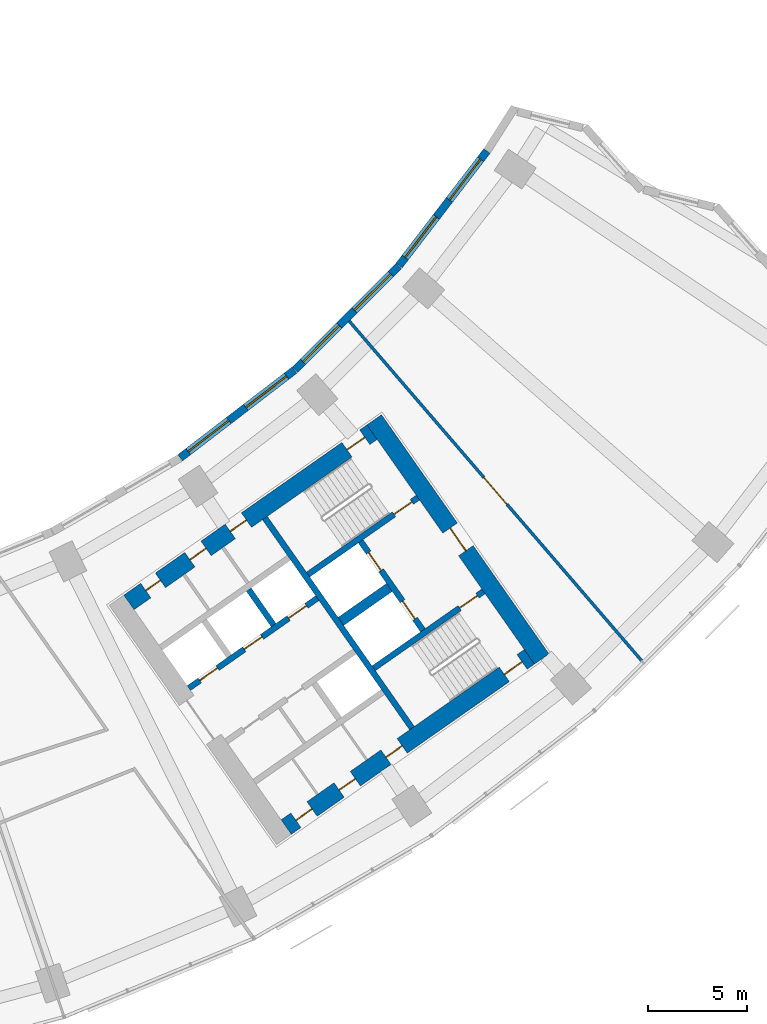
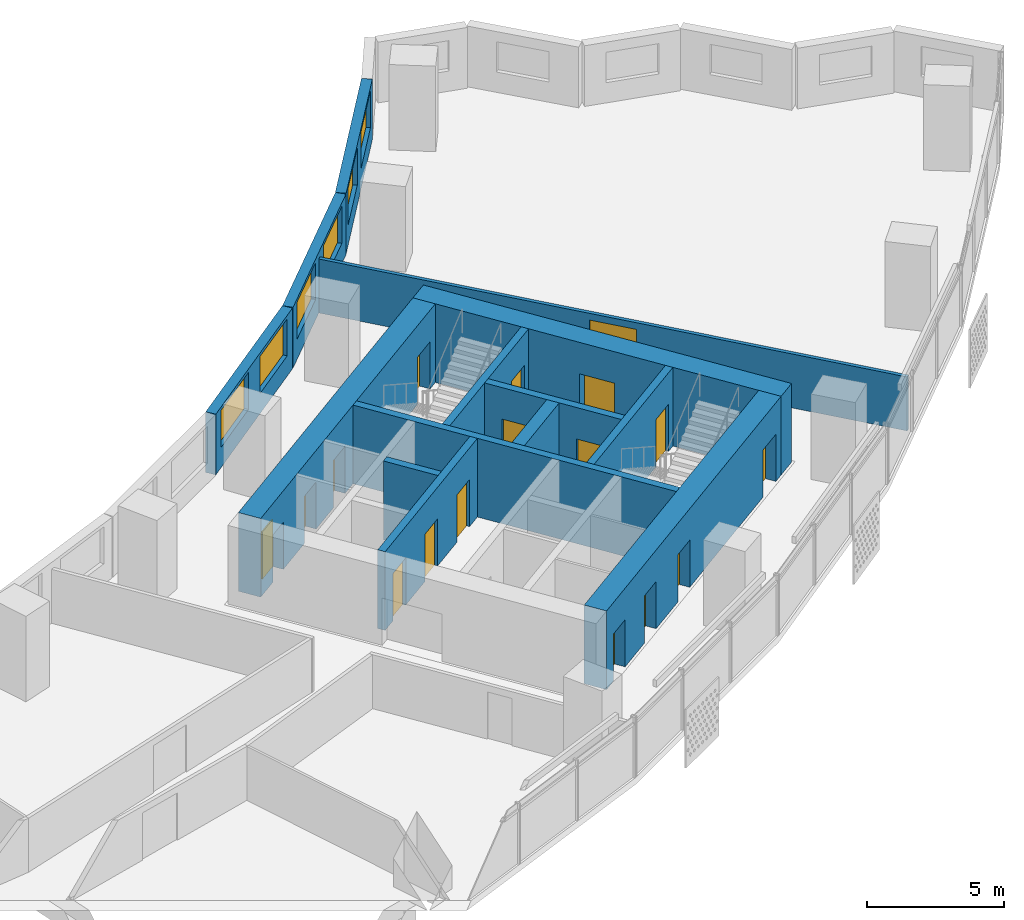
# One storey, part 7 of 31: 17 doors, 14 walls, 6 windows, 23 openings.
"""IFC4 building model written with IfcOpenShell, lengths in metres."""

from ifc_helpers import new_model, si_unit, direction, frame, frame_2d, origin, place, context, subcontext, project, spatial, rectangle, extrude, material, layer, layer_set, type_object, element, fill, save


model = new_model("IFC4")

# Units and contexts
model_context = context("Model", 3, precision=1e-05, world=origin(), true_north=direction((0.0, 1.0)))
body_context = subcontext(model_context, "Body", "Model", "MODEL_VIEW")
ifc_project = project(units=[si_unit("LENGTHUNIT", "METRE"), si_unit("AREAUNIT", "SQUARE_METRE"), si_unit("VOLUMEUNIT", "CUBIC_METRE"), si_unit("PLANEANGLEUNIT", "RADIAN"), si_unit("MASSUNIT", "GRAM", prefix="KILO")], contexts=[model_context])

# Site, building, storey
site_placement = place(None, origin())
site = spatial("IfcSite", under=ifc_project, at=site_placement, CompositionType="ELEMENT")
building_placement = place(site_placement, origin())
building = spatial("IfcBuilding", under=site, at=building_placement, Name="Qamariyya Broadcast Tower", CompositionType="ELEMENT")
storey_placement = place(building_placement, frame((0.0, 0.0, 82.300048828125)))
storey = spatial("IfcBuildingStorey", under=building, at=storey_placement, Name="L17", CompositionType="ELEMENT", Elevation=82.300048828125)

# Wall, opening, door
ifc_material_1 = material(Name="Concrete C70/85", Category="concrete")
ifc_layer_1 = layer(ifc_material_1, 0.89990234375)
ifc_layer_set_1 = layer_set([ifc_layer_1], Name="Core wall 900 mm Concrete C70/85")
wall_type_1 = type_object("IfcWallType", Name="Core wall 900 mm Concrete C70/85", PredefinedType="SHEAR", material=ifc_layer_set_1)
wall_1_placement = place(storey_placement, frame((49.778564453125, -57.191162109375, 0.0), z_axis=(0.0, 0.0, 1.0), x_axis=(-0.573577477574, 0.819151315216, 0.0)))
wall_1 = element("IfcWall", 1, at=wall_1_placement, inside=storey, type_object=wall_type_1, Name="k-E-L17-WH", PredefinedType="SHEAR", context=body_context, shape_type="SweptSolid", body=[
    extrude(rectangle(XDim=14.800048828125, YDim=0.89990234375, at=frame_2d((7.39990234375, 0.0))), origin(), (0.0, 0.0, 1.0), 3.5),
])
opening_1_placement = place(wall_1_placement, frame((6.699951171875, 0.0, 0.0)))
opening_1 = element("IfcOpeningElement", 2, at=opening_1_placement, cuts=wall_1, Name="Opening KD2-E1", PredefinedType="OPENING", context=body_context, shape_type="SweptSolid", body=[
    extrude(rectangle(XDim=1.39990234375, YDim=2.10009765625, at=frame_2d((0.699951171875, 1.050048828125))), frame((0.0, 0.4599609375, 0.0), z_axis=(0.0, -1.0, 0.0), x_axis=(1.0, 0.0, 0.0)), (0.0, 0.0, 1.0), 0.919921875),
])
ifc_material_2 = material(Name="Steel fire-resisting door leaf", Category="steel")
door_type_1 = type_object("IfcDoorType", Name="Fire-fighting lobby door KD2", OperationType="DOUBLE_DOOR_SINGLE_SWING", PredefinedType="DOOR", material=ifc_material_2)
door_1_placement = place(opening_1_placement, origin())
door_1 = element("IfcDoor", 3, at=door_1_placement, inside=storey, type_object=door_type_1, Name="k-E-L17-WH-D15", OperationType="DOUBLE_DOOR_SINGLE_SWING", OverallHeight=2.10009765625, OverallWidth=1.39990234375, PredefinedType="DOOR", context=body_context, shape_type="SweptSolid", body=[
    extrude(rectangle(XDim=1.39990234375, YDim=2.10009765625, at=frame_2d((0.699951171875, 1.050048828125))), frame((0.0, 0.02490234375, 0.0), z_axis=(0.0, -1.0, 0.0), x_axis=(1.0, 0.0, 0.0)), (0.0, 0.0, 1.0), 0.050048828125),
])
fill(opening_1, door_1)

# Wall, openings, doors
wall_2_placement = place(storey_placement, frame((28.8544921875, -54.32421875, 0.0), z_axis=(0.0, 0.0, 1.0), x_axis=(0.819145767589, 0.573585400304, 0.0)))
wall_2 = element("IfcWall", 4, at=wall_2_placement, inside=storey, type_object=wall_type_1, Name="k-E-L17-WI", PredefinedType="SHEAR", context=body_context, shape_type="SweptSolid", body=[
    extrude(rectangle(XDim=15.04541015625, YDim=0.89990234375, at=frame_2d((7.522705078125, 0.0))), origin(), (0.0, 0.0, 1.0), 3.5),
])
opening_2_placement = place(wall_2_placement, frame((1.050048828125, 0.0, 0.0)))
opening_2 = element("IfcOpeningElement", 5, at=opening_2_placement, cuts=wall_2, Name="Opening KD5-E1", PredefinedType="OPENING", context=body_context, shape_type="SweptSolid", body=[
    extrude(rectangle(XDim=0.89990234375, YDim=2.10009765625, at=frame_2d((0.449951171875, 1.050048828125))), frame((0.0, 0.4599609375, 0.0), z_axis=(0.0, -1.0, 0.0), x_axis=(1.0, 0.0, 0.0)), (0.0, 0.0, 1.0), 0.919921875),
])
opening_3_placement = place(wall_2_placement, frame((3.77490234375, 0.0, 0.0)))
opening_3 = element("IfcOpeningElement", 6, at=opening_3_placement, cuts=wall_2, Name="Opening KD7-E1", PredefinedType="OPENING", context=body_context, shape_type="SweptSolid", body=[
    extrude(rectangle(XDim=1.0, YDim=2.10009765625, at=frame_2d((0.5, 1.050048828125))), frame((0.0, 0.4599609375, 0.0), z_axis=(0.0, -1.0, 0.0), x_axis=(1.0, 0.0, 0.0)), (0.0, 0.0, 1.0), 0.919921875),
])
opening_4_placement = place(wall_2_placement, frame((6.27490234375, 0.0, 0.0)))
opening_4 = element("IfcOpeningElement", 7, at=opening_4_placement, cuts=wall_2, Name="Opening KD6-E3", PredefinedType="OPENING", context=body_context, shape_type="SweptSolid", body=[
    extrude(rectangle(XDim=1.0, YDim=2.10009765625, at=frame_2d((0.5, 1.050048828125))), frame((0.0, 0.4599609375, 0.0), z_axis=(0.0, -1.0, 0.0), x_axis=(1.0, 0.0, 0.0)), (0.0, 0.0, 1.0), 0.919921875),
])
opening_5_placement = place(wall_2_placement, frame((13.495361328125, 0.0, 0.0)))
opening_5 = element("IfcOpeningElement", 8, at=opening_5_placement, cuts=wall_2, Name="Opening KD1-E1", PredefinedType="OPENING", context=body_context, shape_type="SweptSolid", body=[
    extrude(rectangle(XDim=1.10009765625, YDim=2.10009765625, at=frame_2d((0.550048828125, 1.050048828125))), frame((0.0, 0.4599609375, 0.0), z_axis=(0.0, -1.0, 0.0), x_axis=(1.0, 0.0, 0.0)), (0.0, 0.0, 1.0), 0.919921875),
])
door_type_2 = type_object("IfcDoorType", Name="Accessible toilet door KD7", OperationType="SINGLE_SWING_LEFT", PredefinedType="DOOR", material=ifc_material_2)
door_2_placement = place(opening_3_placement, origin())
door_2 = element("IfcDoor", 9, at=door_2_placement, inside=storey, type_object=door_type_2, Name="k-E-L17-WI-D8", OperationType="SINGLE_SWING_RIGHT", OverallHeight=2.10009765625, OverallWidth=1.0, PredefinedType="DOOR", context=body_context, shape_type="SweptSolid", body=[
    extrude(rectangle(XDim=1.0, YDim=2.10009765625, at=frame_2d((0.5, 1.050048828125))), frame((0.0, 0.02490234375, 0.0), z_axis=(0.0, -1.0, 0.0), x_axis=(1.0, 0.0, 0.0)), (0.0, 0.0, 1.0), 0.050048828125),
])
fill(opening_3, door_2)
door_type_3 = type_object("IfcDoorType", Name="Core room door KD6", OperationType="SINGLE_SWING_LEFT", PredefinedType="DOOR", material=ifc_material_2)
door_3_placement = place(opening_4_placement, origin())
door_3 = element("IfcDoor", 10, at=door_3_placement, inside=storey, type_object=door_type_3, Name="k-E-L17-WI-D9", OperationType="SINGLE_SWING_LEFT", OverallHeight=2.10009765625, OverallWidth=1.0, PredefinedType="DOOR", context=body_context, shape_type="SweptSolid", body=[
    extrude(rectangle(XDim=1.0, YDim=2.10009765625, at=frame_2d((0.5, 1.050048828125))), frame((0.0, 0.02490234375, 0.0), z_axis=(0.0, -1.0, 0.0), x_axis=(1.0, 0.0, 0.0)), (0.0, 0.0, 1.0), 0.050048828125),
])
fill(opening_4, door_3)
door_type_4 = type_object("IfcDoorType", Name="Stair door KD1", OperationType="SINGLE_SWING_LEFT", PredefinedType="DOOR", material=ifc_material_2)
door_4_placement = place(opening_5_placement, origin())
door_4 = element("IfcDoor", 11, at=door_4_placement, inside=storey, type_object=door_type_4, Name="k-E-L17-WI-D16", OperationType="SINGLE_SWING_RIGHT", OverallHeight=2.10009765625, OverallWidth=1.10009765625, PredefinedType="DOOR", context=body_context, shape_type="SweptSolid", body=[
    extrude(rectangle(XDim=1.10009765625, YDim=2.10009765625, at=frame_2d((0.550048828125, 1.050048828125))), frame((0.0, 0.02490234375, 0.0), z_axis=(0.0, -1.0, 0.0), x_axis=(1.0, 0.0, 0.0)), (0.0, 0.0, 1.0), 0.050048828125),
])
fill(opening_5, door_4)
door_type_5 = type_object("IfcDoorType", Name="Toilet door KD5", OperationType="SINGLE_SWING_LEFT", PredefinedType="DOOR", material=ifc_material_2)
door_5_placement = place(opening_2_placement, origin())
door_5 = element("IfcDoor", 12, at=door_5_placement, inside=storey, type_object=door_type_5, Name="k-E-L17-WI-D7", OperationType="SINGLE_SWING_LEFT", OverallHeight=2.10009765625, OverallWidth=0.89990234375, PredefinedType="DOOR", context=body_context, shape_type="SweptSolid", body=[
    extrude(rectangle(XDim=0.89990234375, YDim=2.10009765625, at=frame_2d((0.449951171875, 1.050048828125))), frame((0.0, 0.02490234375, 0.0), z_axis=(0.0, -1.0, 0.0), x_axis=(1.0, 0.0, 0.0)), (0.0, 0.0, 1.0), 0.050048828125),
])
fill(opening_2, door_5)

wall_3_placement = place(storey_placement, frame((36.827392578125, -65.710205078125, 0.0), z_axis=(0.0, 0.0, 1.0), x_axis=(0.819153391756, 0.573574511963, 0.0)))
wall_3 = element("IfcWall", 13, at=wall_3_placement, inside=storey, type_object=wall_type_1, Name="k-E-L17-WO", PredefinedType="SHEAR", context=body_context, shape_type="SweptSolid", body=[
    extrude(rectangle(XDim=15.04541015625, YDim=0.89990234375, at=frame_2d((7.522705078125, 0.0))), origin(), (0.0, 0.0, 1.0), 3.5),
])
opening_6_placement = place(wall_3_placement, frame((0.60009765625, 0.0, 0.0)))
opening_6 = element("IfcOpeningElement", 14, at=opening_6_placement, cuts=wall_3, Name="Opening KD4-E1", PredefinedType="OPENING", context=body_context, shape_type="SweptSolid", body=[
    extrude(rectangle(XDim=1.0, YDim=2.10009765625, at=frame_2d((0.5, 1.050048828125))), frame((0.0, 0.4599609375, 0.0), z_axis=(0.0, -1.0, 0.0), x_axis=(1.0, 0.0, 0.0)), (0.0, 0.0, 1.0), 0.919921875),
])
opening_7_placement = place(wall_3_placement, frame((3.27490234375, 0.0, 0.0)))
opening_7 = element("IfcOpeningElement", 15, at=opening_7_placement, cuts=wall_3, Name="Opening KD4-E2", PredefinedType="OPENING", context=body_context, shape_type="SweptSolid", body=[
    extrude(rectangle(XDim=1.0, YDim=2.10009765625, at=frame_2d((0.5, 1.050048828125))), frame((0.0, 0.4599609375, 0.0), z_axis=(0.0, -1.0, 0.0), x_axis=(1.0, 0.0, 0.0)), (0.0, 0.0, 1.0), 0.919921875),
])
opening_8_placement = place(wall_3_placement, frame((6.175048828125, 0.0, 0.0)))
opening_8 = element("IfcOpeningElement", 16, at=opening_8_placement, cuts=wall_3, Name="Opening KD4-E3", PredefinedType="OPENING", context=body_context, shape_type="SweptSolid", body=[
    extrude(rectangle(XDim=1.0, YDim=2.10009765625, at=frame_2d((0.5, 1.050048828125))), frame((0.0, 0.4599609375, 0.0), z_axis=(0.0, -1.0, 0.0), x_axis=(1.0, 0.0, 0.0)), (0.0, 0.0, 1.0), 0.919921875),
])
opening_9_placement = place(wall_3_placement, frame((13.495361328125, 0.0, 0.0)))
opening_9 = element("IfcOpeningElement", 17, at=opening_9_placement, cuts=wall_3, Name="Opening KD1-E3", PredefinedType="OPENING", context=body_context, shape_type="SweptSolid", body=[
    extrude(rectangle(XDim=1.10009765625, YDim=2.10009765625, at=frame_2d((0.550048828125, 1.050048828125))), frame((0.0, 0.4599609375, 0.0), z_axis=(0.0, -1.0, 0.0), x_axis=(1.0, 0.0, 0.0)), (0.0, 0.0, 1.0), 0.919921875),
])
door_type_6 = type_object("IfcDoorType", Name="Riser and plant door KD4", OperationType="SINGLE_SWING_LEFT", PredefinedType="DOOR", material=ifc_material_2)
door_6_placement = place(opening_6_placement, origin())
door_6 = element("IfcDoor", 18, at=door_6_placement, inside=storey, type_object=door_type_6, Name="k-E-L17-WO-D10", OperationType="SINGLE_SWING_RIGHT", OverallHeight=2.10009765625, OverallWidth=1.0, PredefinedType="DOOR", context=body_context, shape_type="SweptSolid", body=[
    extrude(rectangle(XDim=1.0, YDim=2.10009765625, at=frame_2d((0.5, 1.050048828125))), frame((0.0, 0.02490234375, 0.0), z_axis=(0.0, -1.0, 0.0), x_axis=(1.0, 0.0, 0.0)), (0.0, 0.0, 1.0), 0.050048828125),
])
fill(opening_6, door_6)
door_7_placement = place(opening_7_placement, origin())
door_7 = element("IfcDoor", 19, at=door_7_placement, inside=storey, type_object=door_type_6, Name="k-E-L17-WO-D11", OperationType="SINGLE_SWING_LEFT", OverallHeight=2.10009765625, OverallWidth=1.0, PredefinedType="DOOR", context=body_context, shape_type="SweptSolid", body=[
    extrude(rectangle(XDim=1.0, YDim=2.10009765625, at=frame_2d((0.5, 1.050048828125))), frame((0.0, 0.02490234375, 0.0), z_axis=(0.0, -1.0, 0.0), x_axis=(1.0, 0.0, 0.0)), (0.0, 0.0, 1.0), 0.050048828125),
])
fill(opening_7, door_7)
door_8_placement = place(opening_8_placement, origin())
door_8 = element("IfcDoor", 20, at=door_8_placement, inside=storey, type_object=door_type_6, Name="k-E-L17-WO-D12", OperationType="SINGLE_SWING_RIGHT", OverallHeight=2.10009765625, OverallWidth=1.0, PredefinedType="DOOR", context=body_context, shape_type="SweptSolid", body=[
    extrude(rectangle(XDim=1.0, YDim=2.10009765625, at=frame_2d((0.5, 1.050048828125))), frame((0.0, 0.02490234375, 0.0), z_axis=(0.0, -1.0, 0.0), x_axis=(1.0, 0.0, 0.0)), (0.0, 0.0, 1.0), 0.050048828125),
])
fill(opening_8, door_8)
door_9_placement = place(opening_9_placement, origin())
door_9 = element("IfcDoor", 21, at=door_9_placement, inside=storey, type_object=door_type_4, Name="k-E-L17-WO-D18", OperationType="SINGLE_SWING_LEFT", OverallHeight=2.10009765625, OverallWidth=1.10009765625, PredefinedType="DOOR", context=body_context, shape_type="SweptSolid", body=[
    extrude(rectangle(XDim=1.10009765625, YDim=2.10009765625, at=frame_2d((0.550048828125, 1.050048828125))), frame((0.0, 0.02490234375, 0.0), z_axis=(0.0, -1.0, 0.0), x_axis=(1.0, 0.0, 0.0)), (0.0, 0.0, 1.0), 0.050048828125),
])
fill(opening_9, door_9)

# Wall, opening, door
ifc_material_3 = material(Name="Gypsum board partition")
ifc_layer_2 = layer(ifc_material_3, 0.14990234375)
ifc_layer_set_2 = layer_set([ifc_layer_2], Name="Corridor partition 150 EI 60")
wall_type_2 = type_object("IfcWallType", Name="Corridor partition 150 EI 60", PredefinedType="PARTITIONING", material=ifc_layer_set_2)
wall_4_placement = place(storey_placement, frame((40.021240234375, -40.063232421875, 0.0), z_axis=(0.0, 0.0, 1.0), x_axis=(0.652471531746, -0.757813235739, 0.0)))
wall_4 = element("IfcWall", 22, at=wall_4_placement, inside=storey, type_object=wall_type_2, Name="Partition L17-027", PredefinedType="PARTITIONING", context=body_context, shape_type="SweptSolid", body=[
    extrude(rectangle(XDim=22.71484375, YDim=0.14990234375, at=frame_2d((11.357421875, 0.0))), origin(), (0.0, 0.0, 1.0), 2.39990234375),
])
opening_10_placement = place(wall_4_placement, frame((10.45751953125, 0.0, 0.0)))
opening_10 = element("IfcOpeningElement", 23, at=opening_10_placement, cuts=wall_4, Name="Opening L17-D13", PredefinedType="OPENING", context=body_context, shape_type="SweptSolid", body=[
    extrude(rectangle(XDim=1.800048828125, YDim=2.10009765625, at=frame_2d((0.89990234375, 1.050048828125))), frame((0.0, 0.0849609375, 0.0), z_axis=(0.0, -1.0, 0.0), x_axis=(1.0, 0.0, 0.0)), (0.0, 0.0, 1.0), 0.169921875),
])
ifc_material_4 = material(Name="Timber fire door leaf", Category="wood")
door_type_7 = type_object("IfcDoorType", Name="Double fire door 1800 x 2100 FD60", OperationType="NOTDEFINED", PredefinedType="DOOR", material=ifc_material_4)
door_10_placement = place(opening_10_placement, origin())
door_10 = element("IfcDoor", 24, at=door_10_placement, inside=storey, type_object=door_type_7, Name="Door L17-D13", OperationType="DOUBLE_DOOR_SINGLE_SWING", OverallHeight=2.10009765625, OverallWidth=1.800048828125, PredefinedType="DOOR", context=body_context, shape_type="SweptSolid", body=[
    extrude(rectangle(XDim=1.800048828125, YDim=2.10009765625, at=frame_2d((0.89990234375, 1.050048828125))), frame((0.0, 0.02490234375, 0.0), z_axis=(0.0, -1.0, 0.0), x_axis=(1.0, 0.0, 0.0)), (0.0, 0.0, 1.0), 0.050048828125),
])
fill(opening_10, door_10)

# Walls
ifc_material_5 = material(Name="Concrete C60/75", Category="concrete")
ifc_layer_3 = layer(ifc_material_5, 0.5)
ifc_layer_set_3 = layer_set([ifc_layer_3], Name="Fire-fighting lobby divider wall 500 mm Concrete C60/75")
wall_type_3 = type_object("IfcWallType", Name="Fire-fighting lobby divider wall 500 mm Concrete C60/75", PredefinedType="SOLIDWALL", material=ifc_layer_set_3)
wall_5_placement = place(storey_placement, frame((39.59912109375, -55.28515625, 0.0), z_axis=(0.0, 0.0, 1.0), x_axis=(0.819136323161, 0.573598887793, 0.0)))
element("IfcWall", 25, at=wall_5_placement, inside=storey, type_object=wall_type_3, Name="k-E-L17-FD", PredefinedType="SOLIDWALL", context=body_context, shape_type="SweptSolid", body=[
    extrude(rectangle(XDim=2.999755859375, YDim=0.5, at=frame_2d((1.5, 0.0))), origin(), (0.0, 0.0, 1.0), 3.5),
])
ifc_layer_4 = layer(ifc_material_5, 0.300048828125)
ifc_layer_set_4 = layer_set([ifc_layer_4], Name="Lift shaft wall 300 mm Concrete C60/75")
wall_type_4 = type_object("IfcWallType", Name="Lift shaft wall 300 mm Concrete C60/75", PredefinedType="SOLIDWALL", material=ifc_layer_set_4)
wall_6_placement = place(storey_placement, frame((43.204345703125, -60.69580078125, 0.0), z_axis=(0.0, 0.0, 1.0), x_axis=(-0.573571992966, 0.819155155563, 0.0)))
element("IfcWall", 26, at=wall_6_placement, inside=storey, type_object=wall_type_4, Name="k-E-L17-WL", PredefinedType="SOLIDWALL", context=body_context, shape_type="SweptSolid", body=[
    extrude(rectangle(XDim=13.000244140625, YDim=0.300048828125, at=frame_2d((6.5, 0.0))), origin(), (0.0, 0.0, 1.0), 3.5),
])

# Wall, openings, doors
wall_7_placement = place(storey_placement, frame((31.89453125, -58.66552734375, 0.0), z_axis=(0.0, 0.0, 1.0), x_axis=(0.819166993208, 0.573555086491, 0.0)))
wall_7 = element("IfcWall", 27, at=wall_7_placement, inside=storey, type_object=wall_type_4, Name="k-E-L17-NF0", PredefinedType="SOLIDWALL", context=body_context, shape_type="SweptSolid", body=[
    extrude(rectangle(XDim=7.9501953125, YDim=0.300048828125, at=frame_2d((3.97509765625, 0.0))), origin(), (0.0, 0.0, 1.0), 3.5),
])
opening_11_placement = place(wall_7_placement, frame((0.675048828125, 0.0, 0.0)))
opening_11 = element("IfcOpeningElement", 28, at=opening_11_placement, cuts=wall_7, Name="Opening LD", PredefinedType="OPENING", context=body_context, shape_type="SweptSolid", body=[
    extrude(rectangle(XDim=1.10009765625, YDim=2.10009765625, at=frame_2d((0.550048828125, 1.050048828125))), frame((0.0, 0.159912109375, 0.0), z_axis=(0.0, -1.0, 0.0), x_axis=(1.0, 0.0, 0.0)), (0.0, 0.0, 1.0), 0.320068359375),
])
opening_12_placement = place(wall_7_placement, frame((3.425048828125, 0.0, 0.0)))
opening_12 = element("IfcOpeningElement", 29, at=opening_12_placement, cuts=wall_7, Name="Opening LD", PredefinedType="OPENING", context=body_context, shape_type="SweptSolid", body=[
    extrude(rectangle(XDim=1.10009765625, YDim=2.10009765625, at=frame_2d((0.550048828125, 1.050048828125))), frame((0.0, 0.159912109375, 0.0), z_axis=(0.0, -1.0, 0.0), x_axis=(1.0, 0.0, 0.0)), (0.0, 0.0, 1.0), 0.320068359375),
])
opening_13_placement = place(wall_7_placement, frame((6.175048828125, 0.0, 0.0)))
opening_13 = element("IfcOpeningElement", 30, at=opening_13_placement, cuts=wall_7, Name="Opening LD", PredefinedType="OPENING", context=body_context, shape_type="SweptSolid", body=[
    extrude(rectangle(XDim=1.10009765625, YDim=2.10009765625, at=frame_2d((0.550048828125, 1.050048828125))), frame((0.0, 0.159912109375, 0.0), z_axis=(0.0, -1.0, 0.0), x_axis=(1.0, 0.0, 0.0)), (0.0, 0.0, 1.0), 0.320068359375),
])
door_type_8 = type_object("IfcDoorType", Name="Lift landing door LD", OperationType="DOUBLE_DOOR_SLIDING", PredefinedType="DOOR", material=ifc_material_2)
door_11_placement = place(opening_11_placement, origin())
door_11 = element("IfcDoor", 31, at=door_11_placement, inside=storey, type_object=door_type_8, Name="k-E-L17-NF0-D2", OperationType="DOUBLE_DOOR_SLIDING", OverallHeight=2.10009765625, OverallWidth=1.10009765625, PredefinedType="DOOR", context=body_context, shape_type="SweptSolid", body=[
    extrude(rectangle(XDim=1.10009765625, YDim=2.10009765625, at=frame_2d((0.550048828125, 1.050048828125))), frame((0.0, 0.02490234375, 0.0), z_axis=(0.0, -1.0, 0.0), x_axis=(1.0, 0.0, 0.0)), (0.0, 0.0, 1.0), 0.050048828125),
])
fill(opening_11, door_11)
door_12_placement = place(opening_12_placement, origin())
door_12 = element("IfcDoor", 32, at=door_12_placement, inside=storey, type_object=door_type_8, Name="k-E-L17-NF0-D3", OperationType="DOUBLE_DOOR_SLIDING", OverallHeight=2.10009765625, OverallWidth=1.10009765625, PredefinedType="DOOR", context=body_context, shape_type="SweptSolid", body=[
    extrude(rectangle(XDim=1.10009765625, YDim=2.10009765625, at=frame_2d((0.550048828125, 1.050048828125))), frame((0.0, 0.02490234375, 0.0), z_axis=(0.0, -1.0, 0.0), x_axis=(1.0, 0.0, 0.0)), (0.0, 0.0, 1.0), 0.050048828125),
])
fill(opening_12, door_12)
door_13_placement = place(opening_13_placement, origin())
door_13 = element("IfcDoor", 33, at=door_13_placement, inside=storey, type_object=door_type_8, Name="k-E-L17-NF0-D4", OperationType="DOUBLE_DOOR_SLIDING", OverallHeight=2.10009765625, OverallWidth=1.10009765625, PredefinedType="DOOR", context=body_context, shape_type="SweptSolid", body=[
    extrude(rectangle(XDim=1.10009765625, YDim=2.10009765625, at=frame_2d((0.550048828125, 1.050048828125))), frame((0.0, 0.02490234375, 0.0), z_axis=(0.0, -1.0, 0.0), x_axis=(1.0, 0.0, 0.0)), (0.0, 0.0, 1.0), 0.050048828125),
])
fill(opening_13, door_13)

# Wall
wall_8_placement = place(storey_placement, frame((36.19091796875, -55.47412109375, 0.0), z_axis=(0.0, 0.0, 1.0), x_axis=(-0.573507030513, 0.819200638399, 0.0)))
element("IfcWall", 34, at=wall_8_placement, inside=storey, type_object=wall_type_4, Name="k-E-L17-ND1", PredefinedType="SOLIDWALL", context=body_context, shape_type="SweptSolid", body=[
    extrude(rectangle(XDim=2.199951171875, YDim=0.300048828125, at=frame_2d((1.10009765625, 0.0))), origin(), (0.0, 0.0, 1.0), 3.5),
])

# Wall, opening, door
wall_9_placement = place(storey_placement, frame((37.935546875, -52.90966796875, 0.0), z_axis=(0.0, 0.0, 1.0), x_axis=(0.819147518138, 0.57358290031, 0.0)))
wall_9 = element("IfcWall", 35, at=wall_9_placement, inside=storey, type_object=wall_type_4, Name="k-E-L17-NW", PredefinedType="SOLIDWALL", context=body_context, shape_type="SweptSolid", body=[
    extrude(rectangle(XDim=6.79541015625, YDim=0.300048828125, at=frame_2d((3.397705078125, 0.0))), origin(), (0.0, 0.0, 1.0), 3.5),
])
opening_14_placement = place(wall_9_placement, frame((5.3203125, 0.0, 0.0)))
opening_14 = element("IfcOpeningElement", 36, at=opening_14_placement, cuts=wall_9, Name="Opening KD1-E2", PredefinedType="OPENING", context=body_context, shape_type="SweptSolid", body=[
    extrude(rectangle(XDim=1.10009765625, YDim=2.10009765625, at=frame_2d((0.550048828125, 1.050048828125))), frame((0.0, 0.159912109375, 0.0), z_axis=(0.0, -1.0, 0.0), x_axis=(1.0, 0.0, 0.0)), (0.0, 0.0, 1.0), 0.320068359375),
])
door_14_placement = place(opening_14_placement, origin())
door_14 = element("IfcDoor", 37, at=door_14_placement, inside=storey, type_object=door_type_4, Name="k-E-L17-NW-D17", OperationType="SINGLE_SWING_LEFT", OverallHeight=2.10009765625, OverallWidth=1.10009765625, PredefinedType="DOOR", context=body_context, shape_type="SweptSolid", body=[
    extrude(rectangle(XDim=1.10009765625, YDim=2.10009765625, at=frame_2d((0.550048828125, 1.050048828125))), frame((0.0, 0.02490234375, 0.0), z_axis=(0.0, -1.0, 0.0), x_axis=(1.0, 0.0, 0.0)), (0.0, 0.0, 1.0), 0.050048828125),
])
fill(opening_14, door_14)

wall_10_placement = place(storey_placement, frame((41.262451171875, -57.66064453125, 0.0), z_axis=(0.0, 0.0, 1.0), x_axis=(0.819164398642, 0.573558792102, 0.0)))
wall_10 = element("IfcWall", 38, at=wall_10_placement, inside=storey, type_object=wall_type_4, Name="k-E-L17-SW", PredefinedType="SOLIDWALL", context=body_context, shape_type="SweptSolid", body=[
    extrude(rectangle(XDim=6.795166015625, YDim=0.300048828125, at=frame_2d((3.3974609375, 0.0))), origin(), (0.0, 0.0, 1.0), 3.5),
])
opening_15_placement = place(wall_10_placement, frame((5.3203125, 0.0, 0.0)))
opening_15 = element("IfcOpeningElement", 39, at=opening_15_placement, cuts=wall_10, Name="Opening KD1-E4", PredefinedType="OPENING", context=body_context, shape_type="SweptSolid", body=[
    extrude(rectangle(XDim=1.10009765625, YDim=2.10009765625, at=frame_2d((0.550048828125, 1.050048828125))), frame((0.0, 0.159912109375, 0.0), z_axis=(0.0, -1.0, 0.0), x_axis=(1.0, 0.0, 0.0)), (0.0, 0.0, 1.0), 0.320068359375),
])
door_15_placement = place(opening_15_placement, origin())
door_15 = element("IfcDoor", 40, at=door_15_placement, inside=storey, type_object=door_type_4, Name="k-E-L17-SW-D19", OperationType="SINGLE_SWING_LEFT", OverallHeight=2.10009765625, OverallWidth=1.10009765625, PredefinedType="DOOR", context=body_context, shape_type="SweptSolid", body=[
    extrude(rectangle(XDim=1.10009765625, YDim=2.10009765625, at=frame_2d((0.550048828125, 1.050048828125))), frame((0.0, 0.02490234375, 0.0), z_axis=(0.0, -1.0, 0.0), x_axis=(1.0, 0.0, 0.0)), (0.0, 0.0, 1.0), 0.050048828125),
])
fill(opening_15, door_15)

# Wall, openings, doors
wall_11_placement = place(storey_placement, frame((43.756591796875, -55.731201171875, 0.0), z_axis=(0.0, 0.0, 1.0), x_axis=(-0.573536818435, 0.819179783625, 0.0)))
wall_11 = element("IfcWall", 41, at=wall_11_placement, inside=storey, type_object=wall_type_4, Name="k-E-L17-FF", PredefinedType="SOLIDWALL", context=body_context, shape_type="SweptSolid", body=[
    extrude(rectangle(XDim=5.500244140625, YDim=0.300048828125, at=frame_2d((2.75, 0.0))), origin(), (0.0, 0.0, 1.0), 3.5),
])
opening_16_placement = place(wall_11_placement, frame((0.699951171875, 0.0, 0.0)))
opening_16 = element("IfcOpeningElement", 42, at=opening_16_placement, cuts=wall_11, Name="Opening LD", PredefinedType="OPENING", context=body_context, shape_type="SweptSolid", body=[
    extrude(rectangle(XDim=1.10009765625, YDim=2.10009765625, at=frame_2d((0.550048828125, 1.050048828125))), frame((0.0, 0.159912109375, 0.0), z_axis=(0.0, -1.0, 0.0), x_axis=(1.0, 0.0, 0.0)), (0.0, 0.0, 1.0), 0.320068359375),
])
opening_17_placement = place(wall_11_placement, frame((3.699951171875, 0.0, 0.0)))
opening_17 = element("IfcOpeningElement", 43, at=opening_17_placement, cuts=wall_11, Name="Opening LD", PredefinedType="OPENING", context=body_context, shape_type="SweptSolid", body=[
    extrude(rectangle(XDim=1.10009765625, YDim=2.10009765625, at=frame_2d((0.550048828125, 1.050048828125))), frame((0.0, 0.159912109375, 0.0), z_axis=(0.0, -1.0, 0.0), x_axis=(1.0, 0.0, 0.0)), (0.0, 0.0, 1.0), 0.320068359375),
])
door_16_placement = place(opening_16_placement, origin())
door_16 = element("IfcDoor", 44, at=door_16_placement, inside=storey, type_object=door_type_8, Name="k-E-L17-FF-D13", OperationType="DOUBLE_DOOR_SLIDING", OverallHeight=2.10009765625, OverallWidth=1.10009765625, PredefinedType="DOOR", context=body_context, shape_type="SweptSolid", body=[
    extrude(rectangle(XDim=1.10009765625, YDim=2.10009765625, at=frame_2d((0.550048828125, 1.050048828125))), frame((0.0, 0.02490234375, 0.0), z_axis=(0.0, -1.0, 0.0), x_axis=(1.0, 0.0, 0.0)), (0.0, 0.0, 1.0), 0.050048828125),
])
fill(opening_16, door_16)
door_17_placement = place(opening_17_placement, origin())
door_17 = element("IfcDoor", 45, at=door_17_placement, inside=storey, type_object=door_type_8, Name="k-E-L17-FF-D14", OperationType="DOUBLE_DOOR_SLIDING", OverallHeight=2.10009765625, OverallWidth=1.10009765625, PredefinedType="DOOR", context=body_context, shape_type="SweptSolid", body=[
    extrude(rectangle(XDim=1.10009765625, YDim=2.10009765625, at=frame_2d((0.550048828125, 1.050048828125))), frame((0.0, 0.02490234375, 0.0), z_axis=(0.0, -1.0, 0.0), x_axis=(1.0, 0.0, 0.0)), (0.0, 0.0, 1.0), 0.050048828125),
])
fill(opening_17, door_17)

# Wall, openings, windows
ifc_material_6 = material(Name="Terracotta", Category="masonry")
ifc_layer_5 = layer(ifc_material_6, 0.39990234375)
ifc_layer_set_5 = layer_set([ifc_layer_5], Name="Terracotta clad wall 400")
wall_type_5 = type_object("IfcWallType", Name="Terracotta clad wall 400", PredefinedType="SOLIDWALL", material=ifc_layer_set_5)
wall_12_placement = place(storey_placement, frame((37.24609375, -42.5478515625, 0.0), z_axis=(0.0, 0.0, 1.0), x_axis=(-0.79336607943, -0.60874482668, 0.0)))
wall_12 = element("IfcWall", 46, at=wall_12_placement, inside=storey, type_object=wall_type_5, Name="e-wl-L17-in130", PredefinedType="SOLIDWALL", context=body_context, shape_type="SweptSolid", body=[
    extrude(rectangle(XDim=7.295654296875, YDim=0.39990234375, at=frame_2d((3.64794921875, 0.0))), origin(), (0.0, 0.0, 1.0), 2.699951171875),
])
opening_18_placement = place(wall_12_placement, frame((4.190673828125, 0.0, 0.89990234375)))
opening_18 = element("IfcOpeningElement", 47, at=opening_18_placement, cuts=wall_12, Name="Opening W1", PredefinedType="OPENING", context=body_context, shape_type="SweptSolid", body=[
    extrude(rectangle(XDim=2.60009765625, YDim=1.64990234375, at=frame_2d((1.300048828125, 0.824951171875))), frame((0.0, 0.2099609375, 0.0), z_axis=(0.0, -1.0, 0.0), x_axis=(1.0, 0.0, 0.0)), (0.0, 0.0, 1.0), 0.419921875),
])
opening_19_placement = place(wall_12_placement, frame((0.505126953125, 0.0, 0.89990234375)))
opening_19 = element("IfcOpeningElement", 48, at=opening_19_placement, cuts=wall_12, Name="Opening W1", PredefinedType="OPENING", context=body_context, shape_type="SweptSolid", body=[
    extrude(rectangle(XDim=2.60009765625, YDim=1.64990234375, at=frame_2d((1.300048828125, 0.824951171875))), frame((0.0, 0.2099609375, 0.0), z_axis=(0.0, -1.0, 0.0), x_axis=(1.0, 0.0, 0.0)), (0.0, 0.0, 1.0), 0.419921875),
])
ifc_material_7 = material(Name="Clear low-e double glazed unit in aluminium frame", Category="aluminium")
window_type = type_object("IfcWindowType", Name="Ribbon window 2600 x 1650", PartitioningType="SINGLE_PANEL", PredefinedType="WINDOW", material=ifc_material_7)
window_1_placement = place(opening_18_placement, origin())
window_1 = element("IfcWindow", 49, at=window_1_placement, inside=storey, type_object=window_type, Name="e-w-L17-in13-0", OverallHeight=1.64990234375, OverallWidth=2.60009765625, PartitioningType="SINGLE_PANEL", PredefinedType="WINDOW", context=body_context, shape_type="SweptSolid", body=[
    extrude(rectangle(XDim=2.60009765625, YDim=1.64990234375, at=frame_2d((1.300048828125, 0.824951171875))), frame((0.0, 0.030029296875, 0.0), z_axis=(0.0, -1.0, 0.0), x_axis=(1.0, 0.0, 0.0)), (0.0, 0.0, 1.0), 0.06005859375),
])
fill(opening_18, window_1)
window_2_placement = place(opening_19_placement, origin())
window_2 = element("IfcWindow", 50, at=window_2_placement, inside=storey, type_object=window_type, Name="e-w-L17-in13-1", OverallHeight=1.64990234375, OverallWidth=2.60009765625, PartitioningType="SINGLE_PANEL", PredefinedType="WINDOW", context=body_context, shape_type="SweptSolid", body=[
    extrude(rectangle(XDim=2.60009765625, YDim=1.64990234375, at=frame_2d((1.300048828125, 0.824951171875))), frame((0.0, 0.030029296875, 0.0), z_axis=(0.0, -1.0, 0.0), x_axis=(1.0, 0.0, 0.0)), (0.0, 0.0, 1.0), 0.06005859375),
])
fill(opening_19, window_2)

wall_13_placement = place(storey_placement, frame((42.534423828125, -37.2685546875, 0.0), z_axis=(0.0, 0.0, 1.0), x_axis=(-0.707106781187, -0.707106781187, 0.0)))
wall_13 = element("IfcWall", 51, at=wall_13_placement, inside=storey, type_object=wall_type_5, Name="e-wl-L17-in140", PredefinedType="SOLIDWALL", context=body_context, shape_type="SweptSolid", body=[
    extrude(rectangle(XDim=7.447021484375, YDim=0.39990234375, at=frame_2d((3.7236328125, 0.0))), origin(), (0.0, 0.0, 1.0), 2.699951171875),
])
opening_20_placement = place(wall_13_placement, frame((4.266357421875, 0.0, 0.89990234375)))
opening_20 = element("IfcOpeningElement", 52, at=opening_20_placement, cuts=wall_13, Name="Opening W1", PredefinedType="OPENING", context=body_context, shape_type="SweptSolid", body=[
    extrude(rectangle(XDim=2.60009765625, YDim=1.64990234375, at=frame_2d((1.300048828125, 0.824951171875))), frame((0.0, 0.2099609375, 0.0), z_axis=(0.0, -1.0, 0.0), x_axis=(1.0, 0.0, 0.0)), (0.0, 0.0, 1.0), 0.419921875),
])
opening_21_placement = place(wall_13_placement, frame((0.580810546875, 0.0, 0.89990234375)))
opening_21 = element("IfcOpeningElement", 53, at=opening_21_placement, cuts=wall_13, Name="Opening W1", PredefinedType="OPENING", context=body_context, shape_type="SweptSolid", body=[
    extrude(rectangle(XDim=2.60009765625, YDim=1.64990234375, at=frame_2d((1.300048828125, 0.824951171875))), frame((0.0, 0.2099609375, 0.0), z_axis=(0.0, -1.0, 0.0), x_axis=(1.0, 0.0, 0.0)), (0.0, 0.0, 1.0), 0.419921875),
])
window_3_placement = place(opening_20_placement, origin())
window_3 = element("IfcWindow", 54, at=window_3_placement, inside=storey, type_object=window_type, Name="e-w-L17-in14-0", OverallHeight=1.64990234375, OverallWidth=2.60009765625, PartitioningType="SINGLE_PANEL", PredefinedType="WINDOW", context=body_context, shape_type="SweptSolid", body=[
    extrude(rectangle(XDim=2.60009765625, YDim=1.64990234375, at=frame_2d((1.300048828125, 0.824951171875))), frame((0.0, 0.030029296875, 0.0), z_axis=(0.0, -1.0, 0.0), x_axis=(1.0, 0.0, 0.0)), (0.0, 0.0, 1.0), 0.06005859375),
])
fill(opening_20, window_3)
window_4_placement = place(opening_21_placement, origin())
window_4 = element("IfcWindow", 55, at=window_4_placement, inside=storey, type_object=window_type, Name="e-w-L17-in14-1", OverallHeight=1.64990234375, OverallWidth=2.60009765625, PartitioningType="SINGLE_PANEL", PredefinedType="WINDOW", context=body_context, shape_type="SweptSolid", body=[
    extrude(rectangle(XDim=2.60009765625, YDim=1.64990234375, at=frame_2d((1.300048828125, 0.824951171875))), frame((0.0, 0.030029296875, 0.0), z_axis=(0.0, -1.0, 0.0), x_axis=(1.0, 0.0, 0.0)), (0.0, 0.0, 1.0), 0.06005859375),
])
fill(opening_21, window_4)

wall_14_placement = place(storey_placement, frame((46.99755859375, -31.44677734375, 0.0), z_axis=(0.0, 0.0, 1.0), x_axis=(-0.608738614225, -0.79337084617, 0.0)))
wall_14 = element("IfcWall", 56, at=wall_14_placement, inside=storey, type_object=wall_type_5, Name="e-wl-L17-in150", PredefinedType="SOLIDWALL", context=body_context, shape_type="SweptSolid", body=[
    extrude(rectangle(XDim=7.309814453125, YDim=0.39990234375, at=frame_2d((3.65478515625, 0.0))), origin(), (0.0, 0.0, 1.0), 2.699951171875),
])
opening_22_placement = place(wall_14_placement, frame((4.20458984375, 0.0, 0.89990234375)))
opening_22 = element("IfcOpeningElement", 57, at=opening_22_placement, cuts=wall_14, Name="Opening W1", PredefinedType="OPENING", context=body_context, shape_type="SweptSolid", body=[
    extrude(rectangle(XDim=2.60009765625, YDim=1.64990234375, at=frame_2d((1.300048828125, 0.824951171875))), frame((0.0, 0.2099609375, 0.0), z_axis=(0.0, -1.0, 0.0), x_axis=(1.0, 0.0, 0.0)), (0.0, 0.0, 1.0), 0.419921875),
])
opening_23_placement = place(wall_14_placement, frame((0.51904296875, 0.0, 0.89990234375)))
opening_23 = element("IfcOpeningElement", 58, at=opening_23_placement, cuts=wall_14, Name="Opening W1", PredefinedType="OPENING", context=body_context, shape_type="SweptSolid", body=[
    extrude(rectangle(XDim=2.60009765625, YDim=1.64990234375, at=frame_2d((1.300048828125, 0.824951171875))), frame((0.0, 0.2099609375, 0.0), z_axis=(0.0, -1.0, 0.0), x_axis=(1.0, 0.0, 0.0)), (0.0, 0.0, 1.0), 0.419921875),
])
window_5_placement = place(opening_22_placement, origin())
window_5 = element("IfcWindow", 59, at=window_5_placement, inside=storey, type_object=window_type, Name="e-w-L17-in15-0", OverallHeight=1.64990234375, OverallWidth=2.60009765625, PartitioningType="SINGLE_PANEL", PredefinedType="WINDOW", context=body_context, shape_type="SweptSolid", body=[
    extrude(rectangle(XDim=2.60009765625, YDim=1.64990234375, at=frame_2d((1.300048828125, 0.824951171875))), frame((0.0, 0.030029296875, 0.0), z_axis=(0.0, -1.0, 0.0), x_axis=(1.0, 0.0, 0.0)), (0.0, 0.0, 1.0), 0.06005859375),
])
fill(opening_22, window_5)
window_6_placement = place(opening_23_placement, origin())
window_6 = element("IfcWindow", 60, at=window_6_placement, inside=storey, type_object=window_type, Name="e-w-L17-in15-1", OverallHeight=1.64990234375, OverallWidth=2.60009765625, PartitioningType="SINGLE_PANEL", PredefinedType="WINDOW", context=body_context, shape_type="SweptSolid", body=[
    extrude(rectangle(XDim=2.60009765625, YDim=1.64990234375, at=frame_2d((1.300048828125, 0.824951171875))), frame((0.0, 0.030029296875, 0.0), z_axis=(0.0, -1.0, 0.0), x_axis=(1.0, 0.0, 0.0)), (0.0, 0.0, 1.0), 0.06005859375),
])
fill(opening_23, window_6)

save(model, "model.ifc")
